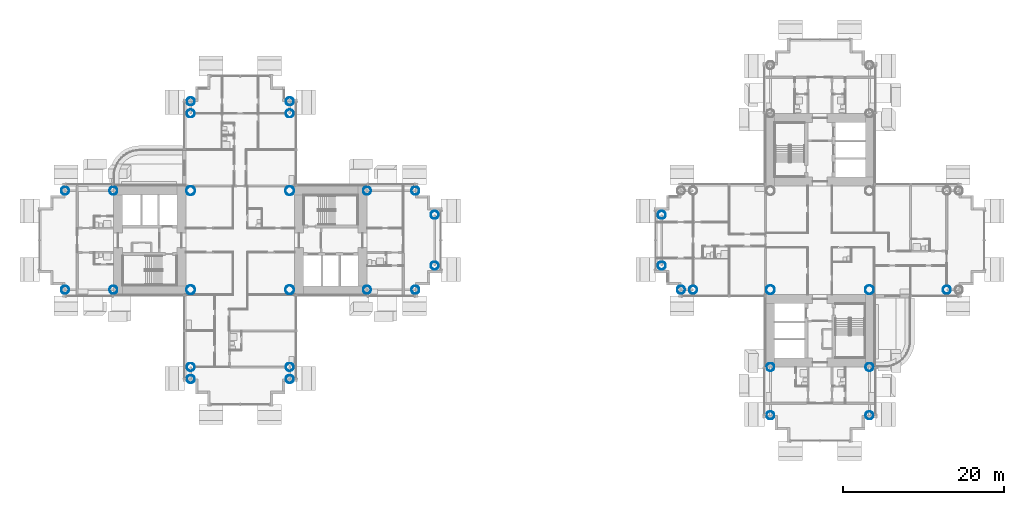
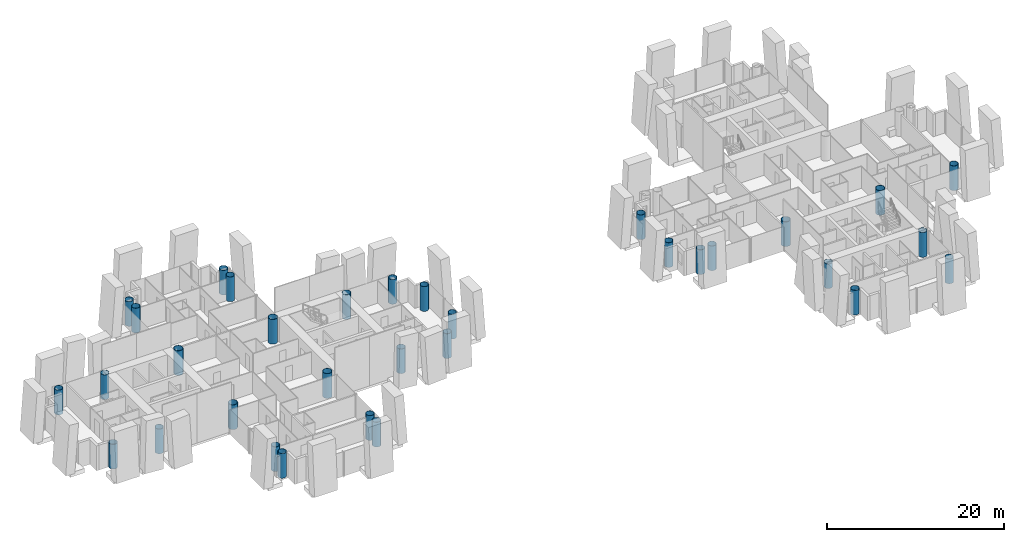
# One storey, part 1 of 25: 33 columns.
"""IFC4 building model written with IfcOpenShell, lengths in metres."""

from ifc_helpers import new_model, si_unit, direction, frame, origin, origin_2d, place, context, subcontext, project, spatial, hollow_circle, extrude, material, material_profile, profile_set, type_object, element, save


model = new_model("IFC4")

# Units and contexts
model_context = context("Model", 3, precision=1e-05, world=origin(), true_north=direction((0.0, 1.0)))
body_context = subcontext(model_context, "Body", "Model", "MODEL_VIEW")
ifc_project = project(units=[si_unit("LENGTHUNIT", "METRE"), si_unit("AREAUNIT", "SQUARE_METRE"), si_unit("VOLUMEUNIT", "CUBIC_METRE"), si_unit("PLANEANGLEUNIT", "RADIAN"), si_unit("MASSUNIT", "GRAM", prefix="KILO")], contexts=[model_context])

# Site, building, storey
site_placement = place(None, origin())
site = spatial("IfcSite", under=ifc_project, at=site_placement, CompositionType="ELEMENT")
building_placement = place(site_placement, origin())
building = spatial("IfcBuilding", under=site, at=building_placement, Name="Ipe Terrace Towers", CompositionType="ELEMENT")
storey_placement = place(building_placement, frame((0.0, 0.0, 31.300048828125)))
storey = spatial("IfcBuildingStorey", under=building, at=storey_placement, Name="L07", CompositionType="ELEMENT", Elevation=31.300048828125)

# Columns
ifc_material_1 = material(Name="Steel S355 tube with Concrete C60/75 fill", Category="concrete")
ifc_material_profile_1 = material_profile(ifc_material_1, hollow_circle(Radius=0.5, WallThickness=0.035888671875, at=origin_2d()), Name="CHS-1000x36")
ifc_profile_set_1 = profile_set([ifc_material_profile_1], Name="Steel S355 tube with Concrete C60/75 fill")
column_type_1 = type_object("IfcColumnType", Name="CH01 COLUMN CHS-1000x36", PredefinedType="COLUMN", material=ifc_profile_set_1)
for number, where, z_axis, x_axis, name in (
    (1, (-20.25, -6.14990234375, 0.0), (0.0, 0.0, 1.0), (1.0, 0.0, 0.0), "Column T1-C-A01"),
    (2, (-20.25, 6.14990234375, 0.0), (0.0, 0.0, 1.0), (1.0, 0.0, 0.0), "Column T1-C-A02"),
    (3, (-14.25, -6.14990234375, 0.0), (0.0, 0.0, 1.0), (1.0, 0.0, 0.0), "Column T1-C-A03"),
    (4, (-14.25, 6.14990234375, 0.0), (0.0, 0.0, 1.0), (1.0, 0.0, 0.0), "Column T1-C-A04"),
    (5, (-11.85009765625, -3.14990234375, 0.0), (0.0, 0.0, 1.0), (1.0, 0.0, 0.0), "Column T1-C-A05"),
    (6, (-11.85009765625, 3.14990234375, 0.0), (0.0, 0.0, 1.0), (1.0, 0.0, 0.0), "Column T1-C-A06"),
    (7, (-29.85009765625, 15.75, 0.0), (0.0, 0.0, 1.0), (1.0, 0.0, 0.0), "Column T1-C-B03"),
    (8, (-42.14990234375, 15.75, 0.0), (0.0, 0.0, 1.0), (1.0, 0.0, 0.0), "Column T1-C-B04"),
    (9, (-29.85009765625, 17.25, 0.0), (0.0, 0.0, 1.0), (1.0, 0.0, 0.0), "Column T1-C-B05"),
    (10, (-42.14990234375, 17.25, 0.0), (0.0, 0.0, 1.0), (1.0, 0.0, 0.0), "Column T1-C-B06"),
    (11, (-51.75, -6.14990234375, 0.0), (0.0, 0.0, 1.0), (1.0, 0.0, 0.0), "Column T1-C-C01"),
    (12, (-51.75, 6.14990234375, 0.0), (0.0, 0.0, 1.0), (1.0, 0.0, 0.0), "Column T1-C-C02"),
    (13, (-57.75, -6.14990234375, 0.0), (0.0, 0.0, 1.0), (1.0, 0.0, 0.0), "Column T1-C-C03"),
    (14, (-57.75, 6.14990234375, 0.0), (0.0, 0.0, 1.0), (1.0, 0.0, 0.0), "Column T1-C-C04"),
    (15, (-42.14990234375, -15.75, 0.0), (0.0, 0.0, 1.0), (1.0, 0.0, 0.0), "Column T1-C-D03"),
    (16, (-29.85009765625, -15.75, 0.0), (0.0, 0.0, 1.0), (1.0, 0.0, 0.0), "Column T1-C-D04"),
    (17, (-42.14990234375, -17.25, 0.0), (0.0, 0.0, 1.0), (1.0, 0.0, 0.0), "Column T1-C-D05"),
    (18, (-29.85009765625, -17.25, 0.0), (0.0, 0.0, 1.0), (1.0, 0.0, 0.0), "Column T1-C-D06"),
    (19, (20.25, -6.14990234375, 0.0), (0.0, 0.0, 1.0), (1.0, 0.0, 0.0), "Column T2-C-B04"),
    (20, (18.75, -6.14990234375, 0.0), (0.0, 0.0, 1.0), (1.0, 0.0, 0.0), "Column T2-C-B06"),
    (21, (16.35009765625, 3.14990234375, 0.0), (0.0, 0.0, 1.0), (1.0, 0.0, 0.0), "Column T2-C-B07"),
    (22, (16.35009765625, -3.14990234375, 0.0), (0.0, 0.0, 1.0), (1.0, 0.0, 0.0), "Column T2-C-B08"),
    (23, (42.14990234375, -15.75, 0.0), (0.0, 0.0, 1.0), (1.0, 0.0, 0.0), "Column T2-C-C01"),
    (24, (29.85009765625, -15.75, 0.0), (0.0, 0.0, 1.0), (1.0, 0.0, 0.0), "Column T2-C-C02"),
    (25, (42.14990234375, -21.75, 0.0), (0.0, 0.0, 1.0), (1.0, 0.0, 0.0), "Column T2-C-C03"),
    (26, (29.85009765625, -21.75, 0.0), (0.0, 0.0, 1.0), (1.0, 0.0, 0.0), "Column T2-C-C04"),
    (27, (51.75, -6.14990234375, 0.0), (0.0, 0.0, 1.0), (1.0, 0.0, 0.0), "Column T2-C-D03"),
):
    element("IfcColumn", number, at=place(storey_placement, frame(where, z_axis=z_axis, x_axis=x_axis)), inside=storey, type_object=column_type_1, Name=name, PredefinedType="COLUMN", context=body_context, shape_type="SweptSolid", body=[
        extrude(hollow_circle(Radius=0.5, WallThickness=0.035888671875, at=origin_2d()), origin(), (0.0, 0.0, 1.0), 3.39990234375),
    ])
ifc_material_2 = material(Name="Steel S355 tube with Concrete C60/75 fill", Category="concrete")
ifc_material_profile_2 = material_profile(ifc_material_2, hollow_circle(Radius=0.550048828125, WallThickness=0.0400390625, at=origin_2d()), Name="CHS-1100x40")
ifc_profile_set_2 = profile_set([ifc_material_profile_2], Name="Steel S355 tube with Concrete C60/75 fill")
column_type_2 = type_object("IfcColumnType", Name="CH02 COLUMN CHS-1100x40", PredefinedType="COLUMN", material=ifc_profile_set_2)
for number, where, z_axis, x_axis, name in (
    (28, (-42.14990234375, -6.14990234375, 0.0), (0.0, 0.0, 1.0), (1.0, 0.0, 0.0), "Column T1-C-E01"),
    (29, (-29.85009765625, -6.14990234375, 0.0), (0.0, 0.0, 1.0), (1.0, 0.0, 0.0), "Column T1-C-E02"),
    (30, (-29.85009765625, 6.14990234375, 0.0), (0.0, 0.0, 1.0), (1.0, 0.0, 0.0), "Column T1-C-E03"),
    (31, (-42.14990234375, 6.14990234375, 0.0), (0.0, 0.0, 1.0), (1.0, 0.0, 0.0), "Column T1-C-E04"),
    (32, (42.14990234375, -6.14990234375, 0.0), (0.0, 0.0, 1.0), (1.0, 0.0, 0.0), "Column T2-C-E01"),
    (33, (29.85009765625, -6.14990234375, 0.0), (0.0, 0.0, 1.0), (1.0, 0.0, 0.0), "Column T2-C-E04"),
):
    element("IfcColumn", number, at=place(storey_placement, frame(where, z_axis=z_axis, x_axis=x_axis)), inside=storey, type_object=column_type_2, Name=name, PredefinedType="COLUMN", context=body_context, shape_type="SweptSolid", body=[
        extrude(hollow_circle(Radius=0.550048828125, WallThickness=0.0400390625, at=origin_2d()), origin(), (0.0, 0.0, 1.0), 3.39990234375),
    ])

save(model, "model.ifc")
